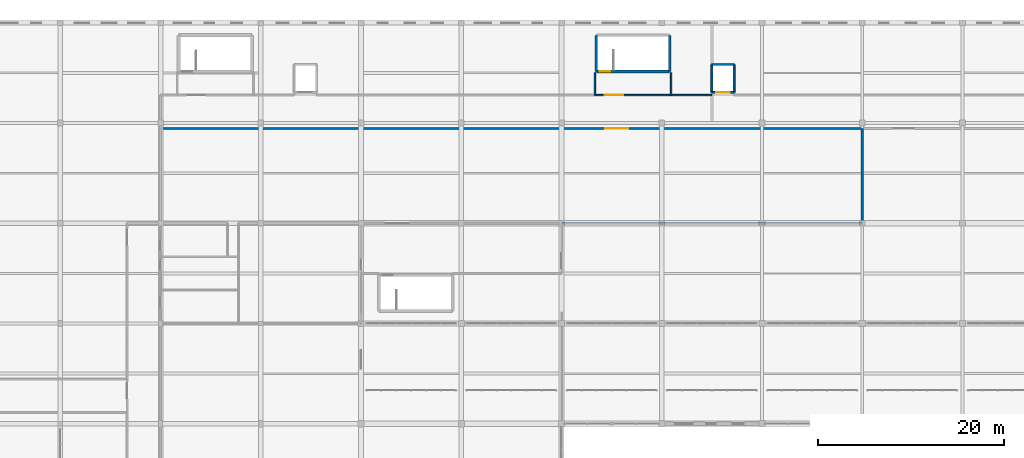
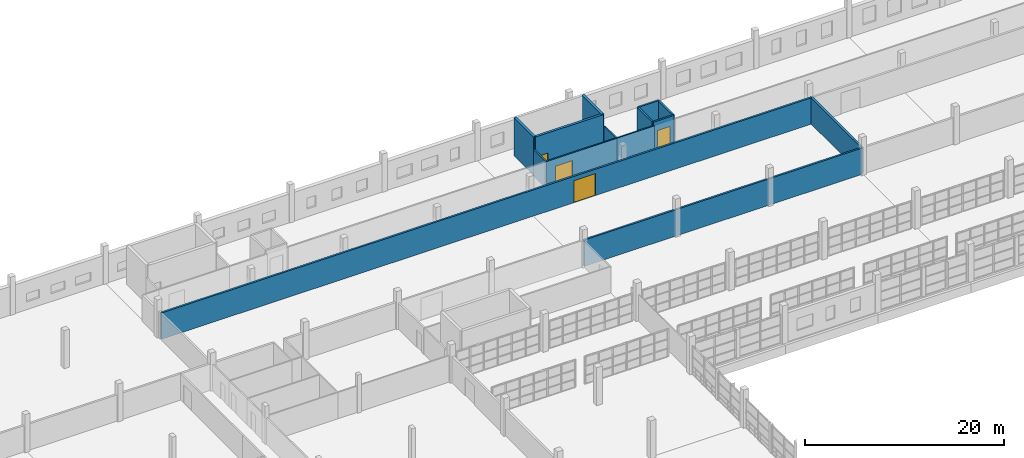
# One storey, part 109 of 142: 14 walls, 4 doors, 4 openings.
"""IFC4 building model written with IfcOpenShell, lengths in metres."""

import ifcopenshell
import ifcopenshell.guid

model = None  # the IFC model being written
_history = None  # IfcOwnerHistory: only IFC2X3 demands one
_inside = {}  # id of a spatial element -> (the spatial element, [elements in it])
_under = {}  # id of a project, library or spatial element -> (it, [spatial elements below it])
_declared = {}  # id of a project -> (the project, [libraries it declares])
_typed = {}  # id of a type object -> (the type object, [elements of that type])
_made_of = {}  # id of a material, layer set ... -> (it, [elements and type objects made of it])


def new_model(schema):
    """Start an empty IFC model of exactly this schema.

    Asked for "IFC4X3", IfcOpenShell would pick the latest addendum, in which some entities
    have other attributes; the version numbers below select the first issue.
    IFC2X3 requires an IfcOwnerHistory on every rooted entity: one is made here for all.
    """
    global model, _history
    if schema == "IFC4X3":
        model = ifcopenshell.file(schema_version=(4, 3, 0, 0))
    else:
        model = ifcopenshell.file(schema=schema)
    _inside.clear()
    _under.clear()
    _declared.clear()
    _typed.clear()
    _made_of.clear()
    _history = None
    if model.schema == "IFC2X3":
        org = make("IfcOrganization", Name="unknown")
        user = make(
            "IfcPersonAndOrganization",
            ThePerson=make("IfcPerson", FamilyName="unknown"),
            TheOrganization=org,
        )
        app = make(
            "IfcApplication",
            ApplicationDeveloper=org,
            Version="unknown",
            ApplicationFullName="unknown",
            ApplicationIdentifier="unknown",
        )
        _history = make(
            "IfcOwnerHistory",
            OwningUser=user,
            OwningApplication=app,
            ChangeAction="ADDED",
            CreationDate=0,
        )
    return model


def make(cls, **values):
    """One entity of the class cls with the attributes given. An attribute that is None is left unset."""
    return model.create_entity(
        cls, **{name: value for name, value in values.items() if value is not None}
    )


def rooted(cls, **values):
    """An entity with a GlobalId (a new one), such as an element, a storey or a relation."""
    return make(cls, GlobalId=ifcopenshell.guid.new(), OwnerHistory=_history, **values)


def si_unit(unit_type, name, prefix=None):
    """IfcSIUnit, for example si_unit("LENGTHUNIT", "METRE", prefix="MILLI")."""
    return make("IfcSIUnit", UnitType=unit_type, Prefix=prefix, Name=name)


def assignment(units):
    """IfcUnitAssignment: the units of a project."""
    return None if units is None else make("IfcUnitAssignment", Units=units)


def point(xyz):
    """IfcCartesianPoint."""
    return None if xyz is None else make("IfcCartesianPoint", Coordinates=xyz)


def direction(xyz):
    """IfcDirection."""
    return None if xyz is None else make("IfcDirection", DirectionRatios=xyz)


def frame(location, z_axis=None, x_axis=None):
    """IfcAxis2Placement3D, a coordinate frame: its origin and axes. An axis left out is left unset."""
    return make(
        "IfcAxis2Placement3D",
        Location=point(location),
        Axis=direction(z_axis),
        RefDirection=direction(x_axis),
    )


def frame_2d(location, x_axis=None):
    """IfcAxis2Placement2D, a coordinate frame in the plane: its origin and x axis."""
    return make(
        "IfcAxis2Placement2D", Location=point(location), RefDirection=direction(x_axis)
    )


def origin():
    """The frame at (0, 0, 0) with its axes left unset."""
    return frame((0.0, 0.0, 0.0))


def place(relative_to, where):
    """IfcLocalPlacement: puts the frame where relative to a parent placement (None: the world)."""
    return make(
        "IfcLocalPlacement", PlacementRelTo=relative_to, RelativePlacement=where
    )


def context(
    kind, dimensions, precision=None, world=None, true_north=None, identifier=None
):
    """IfcGeometricRepresentationContext, for example the 3D "Model" context."""
    return make(
        "IfcGeometricRepresentationContext",
        ContextIdentifier=identifier,
        ContextType=kind,
        CoordinateSpaceDimension=dimensions,
        Precision=precision,
        WorldCoordinateSystem=world,
        TrueNorth=true_north,
    )


def subcontext(parent, identifier, kind, view, scale=None):
    """IfcGeometricRepresentationSubContext, for example "Body" below "Model"."""
    return make(
        "IfcGeometricRepresentationSubContext",
        ContextIdentifier=identifier,
        ContextType=kind,
        ParentContext=parent,
        TargetScale=scale,
        TargetView=view,
    )


def project(units=None, contexts=None):
    """IfcProject with its units and contexts."""
    return rooted(
        "IfcProject",
        Name="project",
        RepresentationContexts=contexts,
        UnitsInContext=assignment(units),
    )


def spatial(cls, under=None, at=None, **own):
    """A site, building, storey or space (cls), placed at a placement, below another one or the project."""
    s = rooted(cls, ObjectPlacement=at, **own)
    if under is not None:
        _under.setdefault(under.id(), (under, []))[1].append(s)
    return s


def profile(cls, at=None, kind="AREA", **sizes):
    """A parametric profile (cls). Its sizes go by their IFC names, for example OverallWidth=200.0."""
    return make(cls, ProfileType=kind, Position=at, **sizes)


def rectangle(**sizes):
    """IfcRectangleProfileDef."""
    return profile("IfcRectangleProfileDef", **sizes)


def extrude(swept, where, along, depth):
    """IfcExtrudedAreaSolid: the profile swept, set in the frame where, extruded along a direction by depth."""
    return make(
        "IfcExtrudedAreaSolid",
        SweptArea=swept,
        Position=where,
        ExtrudedDirection=direction(along),
        Depth=depth,
    )


def shape(context_of_items, identifier, shape_type, items):
    """IfcShapeRepresentation: the items that make up one representation, for example the "Body"."""
    return make(
        "IfcShapeRepresentation",
        ContextOfItems=context_of_items,
        RepresentationIdentifier=identifier,
        RepresentationType=shape_type,
        Items=items,
    )


def material(Name=None, Category=None):
    """IfcMaterial."""
    return make("IfcMaterial", Name=Name, Category=Category)


def layer(
    of_material, thickness, ventilated=None, Name=None, Category=None, Priority=None
):
    """IfcMaterialLayer: one layer of a wall or slab, of a material (None: an air gap)."""
    return make(
        "IfcMaterialLayer",
        Material=of_material,
        LayerThickness=thickness,
        IsVentilated=ventilated,
        Name=Name,
        Category=Category,
        Priority=Priority,
    )


def layer_set(layers, Name=None):
    """IfcMaterialLayerSet."""
    return make("IfcMaterialLayerSet", MaterialLayers=layers, LayerSetName=Name)


def made_of(thing, what):
    """Note that an element or type object is made of a material, layer set ...; save() writes the relation."""
    if what is not None:
        _made_of.setdefault(what.id(), (what, []))[1].append(thing)
    return thing


def type_object(cls, material=None, **own):
    """A type object (cls), such as IfcWallType, which elements share."""
    return made_of(rooted(cls, **own), material)


def element(
    cls,
    number,
    at=None,
    inside=None,
    cuts=None,
    type_object=None,
    material=None,
    context=None,
    identifier="Body",
    shape_type=None,
    held_by="IfcProductDefinitionShape",
    body=None,
    shapes=None,
    **own,
):
    """One element of the class cls, such as IfcWall. Its Tag is "e" and its number.

    at: its placement. inside: the storey or other place that contains it. cuts: it is an
    opening in that element (IfcRelVoidsElement). A single representation is given by context,
    identifier, shape_type and body (its items); several are given by shapes. held_by: the class
    of the entity that holds the representations. save() writes the other relations.
    """
    e = rooted(cls, Tag="e%d" % number, ObjectPlacement=at, **own)
    if body is not None:
        shapes = [shape(context, identifier, shape_type, body)]
    if shapes is not None:
        e.Representation = make(held_by, Representations=shapes)
    if inside is not None:
        _inside.setdefault(inside.id(), (inside, []))[1].append(e)
    if cuts is not None:
        rooted(
            "IfcRelVoidsElement", RelatingBuildingElement=cuts, RelatedOpeningElement=e
        )
    if type_object is not None:
        _typed.setdefault(type_object.id(), (type_object, []))[1].append(e)
    return made_of(e, material)


def fill(opening, filler):
    """IfcRelFillsElement: the door or window that sits in an opening."""
    return rooted(
        "IfcRelFillsElement",
        RelatingOpeningElement=opening,
        RelatedBuildingElement=filler,
    )


def aggregate(whole, parts):
    """IfcRelAggregates: a whole, such as a stair, and the parts it consists of."""
    return rooted("IfcRelAggregates", RelatingObject=whole, RelatedObjects=parts)


def save(model, path):
    """Write the relations noted so far, then the file.

    IfcRelAggregates (storeys below a building ...), IfcRelContainedInSpatialStructure (elements
    in a storey), IfcRelDefinesByType, IfcRelAssociatesMaterial and IfcRelDeclares: one each for
    every whole, place, type object, material and project.
    """
    for whole, parts in _under.values():
        aggregate(whole, parts)
    for where, things in _inside.values():
        rooted(
            "IfcRelContainedInSpatialStructure",
            RelatedElements=things,
            RelatingStructure=where,
        )
    for kind, things in _typed.values():
        rooted("IfcRelDefinesByType", RelatedObjects=things, RelatingType=kind)
    for what, things in _made_of.values():
        rooted("IfcRelAssociatesMaterial", RelatedObjects=things, RelatingMaterial=what)
    for by, libraries in _declared.values():
        rooted("IfcRelDeclares", RelatingContext=by, RelatedDefinitions=libraries)
    model.write(path)


model = new_model("IFC4")

# Units and contexts
model_context = context("Model", 3, precision=1e-05, world=origin(), true_north=direction((0.0, 1.0)))
body_context = subcontext(model_context, "Body", "Model", "MODEL_VIEW")
ifc_project = project(units=[si_unit("LENGTHUNIT", "METRE"), si_unit("AREAUNIT", "SQUARE_METRE"), si_unit("VOLUMEUNIT", "CUBIC_METRE"), si_unit("PLANEANGLEUNIT", "RADIAN"), si_unit("MASSUNIT", "GRAM", prefix="KILO")], contexts=[model_context])

# Site, building, storey
site_placement = place(None, origin())
site = spatial("IfcSite", under=ifc_project, at=site_placement, CompositionType="ELEMENT")
building_placement = place(site_placement, origin())
building = spatial("IfcBuilding", under=site, at=building_placement, Name="Zwinboog Wholesale Market", CompositionType="ELEMENT")
storey_placement = place(building_placement, frame((0.0, 0.0, 5.39990234375)))
storey = spatial("IfcBuildingStorey", under=building, at=storey_placement, Name="L01", CompositionType="ELEMENT", Elevation=5.39990234375)

# Wall, opening, door
ifc_material_1 = material(Name="Concrete C40/50", Category="concrete")
ifc_layer_1 = layer(ifc_material_1, 0.280029296875)
ifc_layer_set_1 = layer_set([ifc_layer_1], Name="Concrete C40/50")
wall_type_1 = type_object("IfcWallType", Name="WT-SW-280", PredefinedType="SHEAR", material=ifc_layer_set_1)
wall_1_placement = place(storey_placement, frame((90.14990234375, 124.35009765625, 0.0), z_axis=(0.0, 0.0, 1.0), x_axis=(1.0, 0.0, 0.0)))
wall_1 = element("IfcWall", 1, at=wall_1_placement, inside=storey, type_object=wall_type_1, Name="SW-01 (WL-SW-L01-029)", PredefinedType="SHEAR", context=body_context, shape_type="SweptSolid", body=[
    extrude(rectangle(XDim=7.900146484375, YDim=0.280029296875, at=frame_2d((3.9501953125, 0.0))), origin(), (0.0, 0.0, 1.0), 4.68017578125),
])
opening_1_placement = place(wall_1_placement, frame((0.3798828125, 0.0, 0.0)))
opening_1 = element("IfcOpeningElement", 2, at=opening_1_placement, cuts=wall_1, Name="Opening FD-0008", PredefinedType="OPENING", context=body_context, shape_type="SweptSolid", body=[
    extrude(rectangle(XDim=1.10009765625, YDim=2.199951171875, at=frame_2d((0.550048828125, 1.10009765625))), frame((0.0, 0.14990234375, 0.0), z_axis=(0.0, -1.0, 0.0), x_axis=(1.0, 0.0, 0.0)), (0.0, 0.0, 1.0), 0.300048828125),
])
ifc_material_2 = material(Name="Timber and powder-coated steel door leaf", Category="steel")
door_type_1 = type_object("IfcDoorType", Name="IDT-FD-02", OperationType="NOTDEFINED", PredefinedType="DOOR", material=ifc_material_2)
door_1_placement = place(opening_1_placement, frame((1.10009765625, 0.0, 0.0), z_axis=(0.0, 0.0, 1.0), x_axis=(-1.0, 0.0, 0.0)))
door_1 = element("IfcDoor", 3, at=door_1_placement, inside=storey, type_object=door_type_1, Name="Core Fire Door FD-0008", OperationType="SINGLE_SWING_LEFT", OverallHeight=2.199951171875, OverallWidth=1.10009765625, PredefinedType="DOOR", context=body_context, shape_type="SweptSolid", body=[
    extrude(rectangle(XDim=1.10009765625, YDim=2.199951171875, at=frame_2d((0.550048828125, 1.10009765625))), frame((0.0, 0.02490234375, 0.0), z_axis=(0.0, -1.0, 0.0), x_axis=(1.0, 0.0, 0.0)), (0.0, 0.0, 1.0), 0.050048828125),
])
fill(opening_1, door_1)

# Walls
for number, where, z_axis, x_axis, name in (
    (4, (90.14990234375, 124.35009765625, 0.0), (0.0, 0.0, 1.0), (0.0, 1.0, 0.0), "SW-01 (WL-SW-L01-031)"),
    (5, (98.050048828125, 124.35009765625, 0.0), (0.0, 0.0, 1.0), (0.0, 1.0, 0.0), "SW-01 (WL-SW-L01-032)"),
):
    element("IfcWall", number, at=place(storey_placement, frame(where, z_axis=z_axis, x_axis=x_axis)), inside=storey, type_object=wall_type_1, Name=name, PredefinedType="SHEAR", context=body_context, shape_type="SweptSolid", body=[
        extrude(rectangle(XDim=3.89990234375, YDim=0.280029296875, at=frame_2d((1.949951171875, 0.0))), origin(), (0.0, 0.0, 1.0), 4.68017578125),
    ])

# Wall, opening, door
ifc_material_3 = material(Name="Precast concrete C45/55", Category="concrete")
ifc_layer_2 = layer(ifc_material_3, 0.199951171875)
ifc_layer_set_2 = layer_set([ifc_layer_2], Name="Precast concrete C45/55")
wall_type_2 = type_object("IfcWallType", Name="WT-IW-200", PredefinedType="SOLIDWALL", material=ifc_layer_set_2)
wall_2_placement = place(storey_placement, frame((102.60009765625, 122.10009765625, 0.0), z_axis=(0.0, 0.0, 1.0), x_axis=(1.0, 0.0, 0.0)))
wall_2 = element("IfcWall", 6, at=wall_2_placement, inside=storey, type_object=wall_type_2, Name="IW-60 (WL-LSH-L01-241)", PredefinedType="SOLIDWALL", context=body_context, shape_type="SweptSolid", body=[
    extrude(rectangle(XDim=2.39990234375, YDim=0.199951171875, at=frame_2d((1.199951171875, 0.0))), origin(), (0.0, 0.0, 1.0), 3.5),
])
opening_2_placement = place(wall_2_placement, frame((0.449951171875, 0.0, 0.0)))
opening_2 = element("IfcOpeningElement", 7, at=opening_2_placement, cuts=wall_2, Name="Opening LD-019", PredefinedType="OPENING", context=body_context, shape_type="SweptSolid", body=[
    extrude(rectangle(XDim=1.5, YDim=2.300048828125, at=frame_2d((0.75, 1.14990234375))), frame((0.0, 0.10986328125, 0.0), z_axis=(0.0, -1.0, 0.0), x_axis=(1.0, 0.0, 0.0)), (0.0, 0.0, 1.0), 0.219970703125),
])
door_type_2 = type_object("IfcDoorType", Name="IDT-LD-150", OperationType="DOUBLE_DOOR_SLIDING", PredefinedType="DOOR", material=ifc_material_2)
door_2_placement = place(opening_2_placement, origin())
door_2 = element("IfcDoor", 8, at=door_2_placement, inside=storey, type_object=door_type_2, Name="Lift Landing Door LD-019 (LG-02)", OperationType="DOUBLE_DOOR_SLIDING", OverallHeight=2.300048828125, OverallWidth=1.5, PredefinedType="DOOR", context=body_context, shape_type="SweptSolid", body=[
    extrude(rectangle(XDim=1.5, YDim=2.300048828125, at=frame_2d((0.75, 1.14990234375))), frame((0.0, 0.02490234375, 0.0), z_axis=(0.0, -1.0, 0.0), x_axis=(1.0, 0.0, 0.0)), (0.0, 0.0, 1.0), 0.050048828125),
])
fill(opening_2, door_2)

# Walls
wall_3_placement = place(storey_placement, frame((102.60009765625, 125.10009765625, 0.0), z_axis=(0.0, 0.0, 1.0), x_axis=(1.0, 0.0, 0.0)))
element("IfcWall", 9, at=wall_3_placement, inside=storey, type_object=wall_type_2, Name="IW-60 (WL-LSH-L01-242)", PredefinedType="SOLIDWALL", context=body_context, shape_type="SweptSolid", body=[
    extrude(rectangle(XDim=2.39990234375, YDim=0.199951171875, at=frame_2d((1.199951171875, 0.0))), origin(), (0.0, 0.0, 1.0), 3.5),
])
for number, where, z_axis, x_axis, name in (
    (10, (102.60009765625, 122.10009765625, 0.0), (0.0, 0.0, 1.0), (0.0, 1.0, 0.0), "IW-60 (WL-LSH-L01-243)"),
    (11, (105.0, 122.10009765625, 0.0), (0.0, 0.0, 1.0), (0.0, 1.0, 0.0), "IW-60 (WL-LSH-L01-244)"),
):
    element("IfcWall", number, at=place(storey_placement, frame(where, z_axis=z_axis, x_axis=x_axis)), inside=storey, type_object=wall_type_2, Name=name, PredefinedType="SOLIDWALL", context=body_context, shape_type="SweptSolid", body=[
        extrude(rectangle(XDim=3.0, YDim=0.199951171875, at=frame_2d((1.5, 0.0))), origin(), (0.0, 0.0, 1.0), 3.5),
    ])
ifc_layer_3 = layer(ifc_material_3, 0.215087890625)
ifc_layer_set_3 = layer_set([ifc_layer_3], Name="Precast concrete C45/55")
wall_type_3 = type_object("IfcWallType", Name="WT-IW-215", PredefinedType="PARTITIONING", material=ifc_layer_set_3)
wall_4_placement = place(storey_placement, frame((86.39990234375, 108.0, 0.0), z_axis=(0.0, 0.0, 1.0), x_axis=(1.0, 0.0, 0.0)))
element("IfcWall", 12, at=wall_4_placement, inside=storey, type_object=wall_type_3, Name="IW-02 (WL-IN-L01-0203)", PredefinedType="PARTITIONING", context=body_context, shape_type="SweptSolid", body=[
    extrude(rectangle(XDim=32.400146484375, YDim=0.215087890625, at=frame_2d((16.2001953125, 0.0))), origin(), (0.0, 0.0, 1.0), 3.22998046875),
])

# Wall, opening, door
ifc_material_4 = material(Name="Insulated PIR cold-store sandwich panel")
ifc_layer_4 = layer(ifc_material_4, 0.221923828125)
ifc_layer_set_4 = layer_set([ifc_layer_4], Name="Insulated PIR cold-store sandwich panel")
wall_type_4 = type_object("IfcWallType", Name="WT-CS-222", PredefinedType="PARTITIONING", material=ifc_layer_set_4)
wall_5_placement = place(storey_placement, frame((43.199951171875, 118.199951171875, 0.0), z_axis=(0.0, 0.0, 1.0), x_axis=(1.0, 0.0, 0.0)))
wall_5 = element("IfcWall", 13, at=wall_5_placement, inside=storey, type_object=wall_type_4, Name="PW-CS1 (WL-IN-L01-0135)", PredefinedType="PARTITIONING", context=body_context, shape_type="SweptSolid", body=[
    extrude(rectangle(XDim=75.60009765625, YDim=0.221923828125, at=frame_2d((37.800048828125, 0.0))), origin(), (0.0, 0.0, 1.0), 3.22998046875),
])
opening_3_placement = place(wall_5_placement, frame((47.889892578125, 0.0, 0.0)))
opening_3 = element("IfcOpeningElement", 14, at=opening_3_placement, cuts=wall_5, Name="Opening IDF-0063", PredefinedType="OPENING", context=body_context, shape_type="SweptSolid", body=[
    extrude(rectangle(XDim=2.5, YDim=2.699951171875, at=frame_2d((1.25, 1.35009765625))), frame((0.0, 0.120849609375, 0.0), z_axis=(0.0, -1.0, 0.0), x_axis=(1.0, 0.0, 0.0)), (0.0, 0.0, 1.0), 0.241943359375),
])
door_type_3 = type_object("IfcDoorType", Name="IDT-CS-03", OperationType="DOUBLE_DOOR_SLIDING", PredefinedType="DOOR", material=ifc_material_2)
door_3_placement = place(opening_3_placement, frame((2.5, 0.0, 0.0), z_axis=(0.0, 0.0, 1.0), x_axis=(-1.0, 0.0, 0.0)))
door_3 = element("IfcDoor", 15, at=door_3_placement, inside=storey, type_object=door_type_3, Name="Interior Door IDF-0063", OperationType="DOUBLE_DOOR_SLIDING", OverallHeight=2.699951171875, OverallWidth=2.5, PredefinedType="DOOR", context=body_context, shape_type="SweptSolid", body=[
    extrude(rectangle(XDim=2.5, YDim=2.699951171875, at=frame_2d((1.25, 1.35009765625))), frame((0.0, 0.02490234375, 0.0), z_axis=(0.0, -1.0, 0.0), x_axis=(1.0, 0.0, 0.0)), (0.0, 0.0, 1.0), 0.050048828125),
])
fill(opening_3, door_3)

# Walls
ifc_material_5 = material(Name="Insulated PIR freezer sandwich panel")
ifc_layer_5 = layer(ifc_material_5, 0.251953125)
ifc_layer_set_5 = layer_set([ifc_layer_5], Name="Insulated PIR freezer sandwich panel")
wall_type_5 = type_object("IfcWallType", Name="WT-CS-252", PredefinedType="PARTITIONING", material=ifc_layer_set_5)
wall_6_placement = place(storey_placement, frame((118.800048828125, 108.0, 0.0), z_axis=(0.0, 0.0, 1.0), x_axis=(0.0, 1.0, 0.0)))
element("IfcWall", 16, at=wall_6_placement, inside=storey, type_object=wall_type_5, Name="PW-CS2 (WL-IN-L01-0210)", PredefinedType="PARTITIONING", context=body_context, shape_type="SweptSolid", body=[
    extrude(rectangle(XDim=10.199951171875, YDim=0.251953125, at=frame_2d((5.10009765625, 0.0))), origin(), (0.0, 0.0, 1.0), 3.22998046875),
])
ifc_material_6 = material(Name="Fire-rated corridor stud partition")
ifc_layer_6 = layer(ifc_material_6, 0.154052734375)
ifc_layer_set_6 = layer_set([ifc_layer_6], Name="Fire-rated corridor stud partition")
wall_type_6 = type_object("IfcWallType", Name="WT-PT-154", PredefinedType="PARTITIONING", material=ifc_layer_set_6)
wall_7_placement = place(storey_placement, frame((98.199951171875, 121.800048828125, 0.0), z_axis=(0.0, 0.0, 1.0), x_axis=(1.0, 0.0, 0.0)))
element("IfcWall", 17, at=wall_7_placement, inside=storey, type_object=wall_type_6, Name="PW-04 (WL-IN-L01-0205)", PredefinedType="PARTITIONING", context=body_context, shape_type="SweptSolid", body=[
    extrude(rectangle(XDim=4.380126953125, YDim=0.154052734375, at=frame_2d((2.18994140625, 0.0))), origin(), (0.0, 0.0, 1.0), 3.22998046875),
])

# Wall, opening, door
ifc_material_7 = material(Name="Laboratory acoustic partition")
ifc_layer_7 = layer(ifc_material_7, 0.16796875)
ifc_layer_set_7 = layer_set([ifc_layer_7], Name="Laboratory acoustic partition")
wall_type_7 = type_object("IfcWallType", Name="WT-PT-168", PredefinedType="PARTITIONING", material=ifc_layer_set_7)
wall_8_placement = place(storey_placement, frame((90.0, 121.800048828125, 0.0), z_axis=(0.0, 0.0, 1.0), x_axis=(1.0, 0.0, 0.0)))
wall_8 = element("IfcWall", 18, at=wall_8_placement, inside=storey, type_object=wall_type_7, Name="PW-05 (WL-IN-L01-0122)", PredefinedType="PARTITIONING", context=body_context, shape_type="SweptSolid", body=[
    extrude(rectangle(XDim=8.199951171875, YDim=0.16796875, at=frame_2d((4.10009765625, 0.0))), origin(), (0.0, 0.0, 1.0), 3.22998046875),
])
opening_4_placement = place(wall_8_placement, frame((1.070068359375, 0.0, 0.0)))
opening_4 = element("IfcOpeningElement", 19, at=opening_4_placement, cuts=wall_8, Name="Opening IDF-0053", PredefinedType="OPENING", context=body_context, shape_type="SweptSolid", body=[
    extrude(rectangle(XDim=1.9599609375, YDim=2.300048828125, at=frame_2d((0.97998046875, 1.14990234375))), frame((0.0, 0.093994140625, 0.0), z_axis=(0.0, -1.0, 0.0), x_axis=(1.0, 0.0, 0.0)), (0.0, 0.0, 1.0), 0.18798828125),
])
door_type_4 = type_object("IfcDoorType", Name="IDT-FD-05", OperationType="DOUBLE_DOOR_SINGLE_SWING", PredefinedType="DOOR", material=ifc_material_2)
door_4_placement = place(opening_4_placement, origin())
door_4 = element("IfcDoor", 20, at=door_4_placement, inside=storey, type_object=door_type_4, Name="Interior Door IDF-0053", OperationType="DOUBLE_DOOR_SINGLE_SWING", OverallHeight=2.300048828125, OverallWidth=1.9599609375, PredefinedType="DOOR", context=body_context, shape_type="SweptSolid", body=[
    extrude(rectangle(XDim=1.9599609375, YDim=2.300048828125, at=frame_2d((0.97998046875, 1.14990234375))), frame((0.0, 0.02490234375, 0.0), z_axis=(0.0, -1.0, 0.0), x_axis=(1.0, 0.0, 0.0)), (0.0, 0.0, 1.0), 0.050048828125),
])
fill(opening_4, door_4)

# Walls
for number, where, z_axis, x_axis, name in (
    (21, (90.0, 121.800048828125, 0.0), (0.0, 0.0, 1.0), (0.0, 1.0, 0.0), "PW-05 (WL-IN-L01-0204)"),
    (22, (98.199951171875, 121.800048828125, 0.0), (0.0, 0.0, 1.0), (0.0, 1.0, 0.0), "PW-05 (WL-IN-L01-0208)"),
):
    element("IfcWall", number, at=place(storey_placement, frame(where, z_axis=z_axis, x_axis=x_axis)), inside=storey, type_object=wall_type_7, Name=name, PredefinedType="PARTITIONING", context=body_context, shape_type="SweptSolid", body=[
        extrude(rectangle(XDim=2.39990234375, YDim=0.16796875, at=frame_2d((1.199951171875, 0.0))), origin(), (0.0, 0.0, 1.0), 3.22998046875),
    ])

save(model, "model.ifc")
